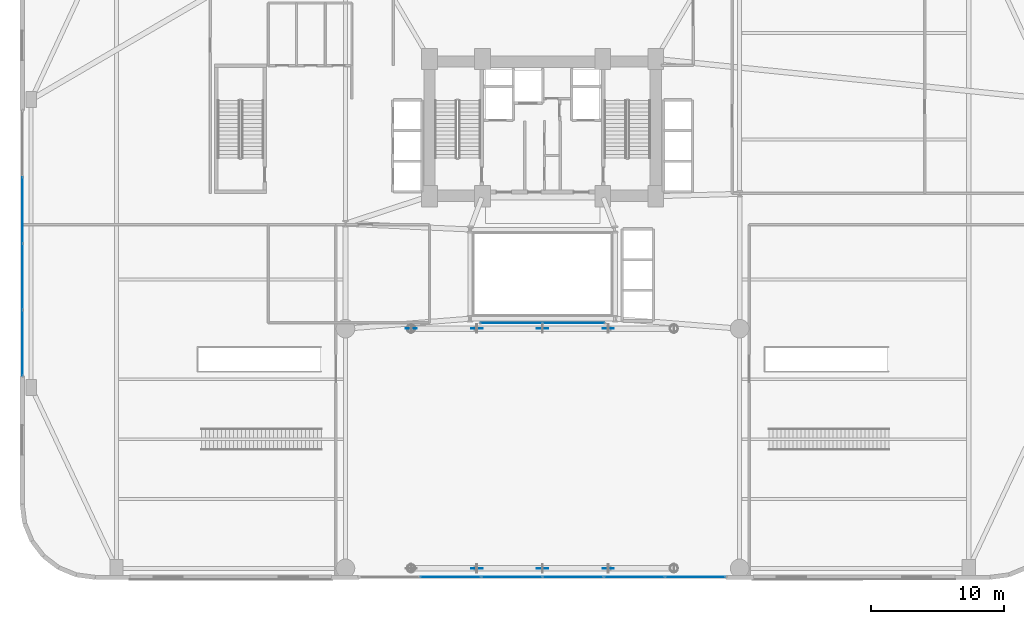
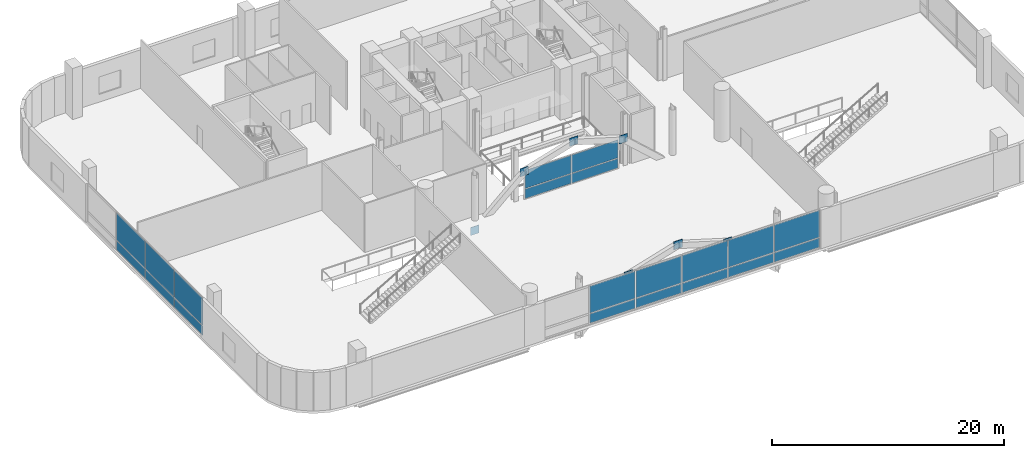
# One storey, part 23 of 36: 27 plates, 3 elements without a shape of their own.
"""IFC4 building model written with IfcOpenShell, lengths in metres."""

from ifc_helpers import new_model, si_unit, direction, frame, origin, origin_2d, place, context, subcontext, project, spatial, rectangle, extrude, source, transform, mapped, material, layer, layer_set, type_object, element, aggregate, save


model = new_model("IFC4")

# Units and contexts
model_context = context("Model", 3, precision=1e-05, world=origin(), true_north=direction((0.0, 1.0)))
body_context = subcontext(model_context, "Body", "Model", "MODEL_VIEW")
ifc_project = project(units=[si_unit("LENGTHUNIT", "METRE"), si_unit("AREAUNIT", "SQUARE_METRE"), si_unit("VOLUMEUNIT", "CUBIC_METRE"), si_unit("PLANEANGLEUNIT", "RADIAN"), si_unit("MASSUNIT", "GRAM", prefix="KILO")], contexts=[model_context])

# Site, building, storey
site_placement = place(None, origin())
site = spatial("IfcSite", under=ifc_project, at=site_placement, CompositionType="ELEMENT")
building_placement = place(site_placement, origin())
building = spatial("IfcBuilding", under=site, at=building_placement, Name="Varnelok Gate Tower", CompositionType="ELEMENT")
storey_placement = place(building_placement, frame((0.0, 0.0, 10.800048828125)))
storey = spatial("IfcBuildingStorey", under=building, at=storey_placement, Name="L02", CompositionType="ELEMENT", Elevation=10.800048828125)

# Plates
ifc_material_1 = material(Name="Structural Steel ASTM A572 Grade 50", Category="steel")
ifc_layer_1 = layer(ifc_material_1, 0.0400390625)
ifc_layer_set_1 = layer_set([ifc_layer_1], Name="Structural Steel ASTM A572 Grade 50")
plate_type_1 = type_object("IfcPlateType", Name="PLT-GUSSET-40", PredefinedType="USERDEFINED", material=ifc_layer_set_1)
shared_shape_1 = source(origin(), body_context, "Body", "SweptSolid", [
    extrude(rectangle(XDim=0.85009765625, YDim=0.0400390625, at=origin_2d()), origin(), (0.0, 0.0, 1.0), 0.85009765625),
])
for number, where, z_axis, x_axis, name in (
    (1, (34.2666015625, 0.800048828125, 2.868408203125), (0.0, 0.0, 1.0), (1.0, 0.0, 0.0), "Giant Arch Node Gusset Plate AN-2"),
    (2, (39.199951171875, 0.800048828125, 4.35498046875), (0.0, 0.0, 1.0), (1.0, 0.0, 0.0), "Giant Arch Node Gusset Plate AN-3"),
    (3, (44.13330078125, 0.800048828125, 2.868408203125), (0.0, 0.0, 1.0), (1.0, 0.0, 0.0), "Giant Arch Node Gusset Plate AN-4"),
    (4, (29.333251953125, 18.800048828125, -1.591796875), (0.0, 0.0, 1.0), (1.0, 0.0, 0.0), "Giant Arch Node Gusset Plate AN-1"),
    (5, (34.2666015625, 18.800048828125, 2.868408203125), (0.0, 0.0, 1.0), (1.0, 0.0, 0.0), "Giant Arch Node Gusset Plate AN-2"),
    (6, (39.199951171875, 18.800048828125, 4.35498046875), (0.0, 0.0, 1.0), (1.0, 0.0, 0.0), "Giant Arch Node Gusset Plate AN-3"),
    (7, (44.13330078125, 18.800048828125, 2.868408203125), (0.0, 0.0, 1.0), (1.0, 0.0, 0.0), "Giant Arch Node Gusset Plate AN-4"),
):
    element("IfcPlate", number, at=place(storey_placement, frame(where, z_axis=z_axis, x_axis=x_axis)), inside=storey, type_object=plate_type_1, Name=name, ObjectType="GUSSET PLATE", PredefinedType="USERDEFINED", context=body_context, shape_type="MappedRepresentation", body=[
        mapped(shared_shape_1, transform((0.0, 0.0, 0.0), scale=1.0)),
    ])

# Curtain wall, plates
ifc_material_2 = material(Name="Anodized Aluminum Alloy 6063-T6", Category="aluminium")
ifc_layer_2 = layer(ifc_material_2, 0.179931640625)
ifc_layer_set_2 = layer_set([ifc_layer_2], Name="Anodized Aluminum Alloy 6063-T6")
curtain_wall_type_1 = type_object("IfcCurtainWallType", Name="CW1-ARCH-PORTAL", PredefinedType="USERDEFINED", material=ifc_layer_set_2)
curtain_wall_1_placement = place(storey_placement, origin())
curtain_wall_1 = element("IfcCurtainWall", 8, at=curtain_wall_1_placement, inside=storey, type_object=curtain_wall_type_1, Name="L02 Podium Portal Curtain Wall W", ObjectType="UNITISED CURTAIN WALL", PredefinedType="USERDEFINED")
ifc_material_3 = material(Name="Low-E Laminated Double Glazing IGU", Category="glass")
ifc_layer_3 = layer(ifc_material_3, 0.028076171875)
ifc_layer_set_3 = layer_set([ifc_layer_3], Name="Low-E Laminated Double Glazing IGU")
plate_type_2 = type_object("IfcPlateType", Name="CW-PNL-IGU28", PredefinedType="CURTAIN_PANEL", material=ifc_layer_set_3)
shared_shape_2 = source(origin(), body_context, "Body", "SweptSolid", [
    extrude(rectangle(XDim=4.887451171875, YDim=0.028076171875, at=origin_2d()), origin(), (0.0, 0.0, 1.0), 0.987548828125),
])
plate_1_placement = place(storey_placement, frame((0.159912109375, 17.71875, 0.07470703125), z_axis=(0.0, 0.0, 1.0), x_axis=(0.0, 1.0, 0.0)))
plate_1 = element("IfcPlate", 9, at=plate_1_placement, type_object=plate_type_2, Name="CW1 panel 1.1", PredefinedType="CURTAIN_PANEL", context=body_context, shape_type="MappedRepresentation", body=[
    mapped(shared_shape_2, transform((0.0, 0.0, 0.0), scale=1.0)),
])
shared_shape_3 = source(origin(), body_context, "Body", "SweptSolid", [
    extrude(rectangle(XDim=4.887451171875, YDim=0.028076171875, at=origin_2d()), origin(), (0.0, 0.0, 1.0), 2.857421875),
])
plate_2_placement = place(storey_placement, frame((0.159912109375, 17.71875, 1.137451171875), z_axis=(0.0, 0.0, 1.0), x_axis=(0.0, 1.0, 0.0)))
plate_2 = element("IfcPlate", 10, at=plate_2_placement, type_object=plate_type_2, Name="CW1 panel 1.2", PredefinedType="CURTAIN_PANEL", context=body_context, shape_type="MappedRepresentation", body=[
    mapped(shared_shape_3, transform((0.0, 0.0, 0.0), scale=1.0)),
])
shared_shape_4 = source(origin(), body_context, "Body", "SweptSolid", [
    extrude(rectangle(XDim=4.925048828125, YDim=0.028076171875, at=origin_2d()), origin(), (0.0, 0.0, 1.0), 0.987548828125),
])
plate_3_placement = place(storey_placement, frame((0.159912109375, 22.699951171875, 0.07470703125), z_axis=(0.0, 0.0, 1.0), x_axis=(0.0, 1.0, 0.0)))
plate_3 = element("IfcPlate", 11, at=plate_3_placement, type_object=plate_type_2, Name="CW1 panel 2.1", PredefinedType="CURTAIN_PANEL", context=body_context, shape_type="MappedRepresentation", body=[
    mapped(shared_shape_4, transform((0.0, 0.0, 0.0), scale=1.0)),
])
plate_4_placement = place(storey_placement, frame((0.159912109375, 27.699951171875, 0.07470703125), z_axis=(0.0, 0.0, 1.0), x_axis=(0.0, 1.0, 0.0)))
plate_4 = element("IfcPlate", 12, at=plate_4_placement, type_object=plate_type_2, Name="CW1 panel 3.1", PredefinedType="CURTAIN_PANEL", context=body_context, shape_type="MappedRepresentation", body=[
    mapped(shared_shape_4, transform((0.0, 0.0, 0.0), scale=1.0)),
])
shared_shape_5 = source(origin(), body_context, "Body", "SweptSolid", [
    extrude(rectangle(XDim=4.925048828125, YDim=0.028076171875, at=origin_2d()), origin(), (0.0, 0.0, 1.0), 2.857421875),
])
plate_5_placement = place(storey_placement, frame((0.159912109375, 22.699951171875, 1.137451171875), z_axis=(0.0, 0.0, 1.0), x_axis=(0.0, 1.0, 0.0)))
plate_5 = element("IfcPlate", 13, at=plate_5_placement, type_object=plate_type_2, Name="CW1 panel 2.2", PredefinedType="CURTAIN_PANEL", context=body_context, shape_type="MappedRepresentation", body=[
    mapped(shared_shape_5, transform((0.0, 0.0, 0.0), scale=1.0)),
])
plate_6_placement = place(storey_placement, frame((0.159912109375, 27.699951171875, 1.137451171875), z_axis=(0.0, 0.0, 1.0), x_axis=(0.0, 1.0, 0.0)))
plate_6 = element("IfcPlate", 14, at=plate_6_placement, type_object=plate_type_2, Name="CW1 panel 3.2", PredefinedType="CURTAIN_PANEL", context=body_context, shape_type="MappedRepresentation", body=[
    mapped(shared_shape_5, transform((0.0, 0.0, 0.0), scale=1.0)),
])
aggregate(curtain_wall_1, [plate_1, plate_2, plate_3, plate_5, plate_4, plate_6])

curtain_wall_2_placement = place(storey_placement, origin())
curtain_wall_2 = element("IfcCurtainWall", 15, at=curtain_wall_2_placement, inside=storey, type_object=curtain_wall_type_1, Name="L02 Giant Arch Portal Glazed Curtain Wall", ObjectType="UNITISED CURTAIN WALL", PredefinedType="USERDEFINED")
shared_shape_6 = source(origin(), body_context, "Body", "SweptSolid", [
    extrude(rectangle(XDim=4.487548828125, YDim=0.028076171875, at=origin_2d()), origin(), (0.0, 0.0, 1.0), 0.987548828125),
])
plate_7_placement = place(storey_placement, frame((50.68115234375, 0.159912109375, 0.07470703125), z_axis=(0.0, 0.0, 1.0), x_axis=(-1.0, 0.0, 0.0)))
plate_7 = element("IfcPlate", 16, at=plate_7_placement, type_object=plate_type_2, Name="CW1 panel 1.1", PredefinedType="CURTAIN_PANEL", context=body_context, shape_type="MappedRepresentation", body=[
    mapped(shared_shape_6, transform((0.0, 0.0, 0.0), scale=1.0)),
])
shared_shape_7 = source(origin(), body_context, "Body", "SweptSolid", [
    extrude(rectangle(XDim=4.487548828125, YDim=0.028076171875, at=origin_2d()), origin(), (0.0, 0.0, 1.0), 2.857421875),
])
plate_8_placement = place(storey_placement, frame((50.68115234375, 0.159912109375, 1.137451171875), z_axis=(0.0, 0.0, 1.0), x_axis=(-1.0, 0.0, 0.0)))
plate_8 = element("IfcPlate", 17, at=plate_8_placement, type_object=plate_type_2, Name="CW1 panel 1.2", PredefinedType="CURTAIN_PANEL", context=body_context, shape_type="MappedRepresentation", body=[
    mapped(shared_shape_7, transform((0.0, 0.0, 0.0), scale=1.0)),
])
shared_shape_8 = source(origin(), body_context, "Body", "SweptSolid", [
    extrude(rectangle(XDim=4.52490234375, YDim=0.028076171875, at=origin_2d()), origin(), (0.0, 0.0, 1.0), 0.987548828125),
])
plate_9_placement = place(storey_placement, frame((46.10009765625, 0.159912109375, 0.07470703125), z_axis=(0.0, 0.0, 1.0), x_axis=(-1.0, 0.0, 0.0)))
plate_9 = element("IfcPlate", 18, at=plate_9_placement, type_object=plate_type_2, Name="CW1 panel 2.1", PredefinedType="CURTAIN_PANEL", context=body_context, shape_type="MappedRepresentation", body=[
    mapped(shared_shape_8, transform((0.0, 0.0, 0.0), scale=1.0)),
])
plate_10_placement = place(storey_placement, frame((41.5, 0.159912109375, 0.07470703125), z_axis=(0.0, 0.0, 1.0), x_axis=(-1.0, 0.0, 0.0)))
plate_10 = element("IfcPlate", 19, at=plate_10_placement, type_object=plate_type_2, Name="CW1 panel 3.1", PredefinedType="CURTAIN_PANEL", context=body_context, shape_type="MappedRepresentation", body=[
    mapped(shared_shape_8, transform((0.0, 0.0, 0.0), scale=1.0)),
])
plate_11_placement = place(storey_placement, frame((36.89990234375, 0.159912109375, 0.07470703125), z_axis=(0.0, 0.0, 1.0), x_axis=(-1.0, 0.0, 0.0)))
plate_11 = element("IfcPlate", 20, at=plate_11_placement, type_object=plate_type_2, Name="CW1 panel 4.1", PredefinedType="CURTAIN_PANEL", context=body_context, shape_type="MappedRepresentation", body=[
    mapped(shared_shape_8, transform((0.0, 0.0, 0.0), scale=1.0)),
])
plate_12_placement = place(storey_placement, frame((32.300048828125, 0.159912109375, 0.07470703125), z_axis=(0.0, 0.0, 1.0), x_axis=(-1.0, 0.0, 0.0)))
plate_12 = element("IfcPlate", 21, at=plate_12_placement, type_object=plate_type_2, Name="CW1 panel 5.1", PredefinedType="CURTAIN_PANEL", context=body_context, shape_type="MappedRepresentation", body=[
    mapped(shared_shape_8, transform((0.0, 0.0, 0.0), scale=1.0)),
])
shared_shape_9 = source(origin(), body_context, "Body", "SweptSolid", [
    extrude(rectangle(XDim=4.52490234375, YDim=0.028076171875, at=origin_2d()), origin(), (0.0, 0.0, 1.0), 2.857421875),
])
plate_13_placement = place(storey_placement, frame((46.10009765625, 0.159912109375, 1.137451171875), z_axis=(0.0, 0.0, 1.0), x_axis=(-1.0, 0.0, 0.0)))
plate_13 = element("IfcPlate", 22, at=plate_13_placement, type_object=plate_type_2, Name="CW1 panel 2.2", PredefinedType="CURTAIN_PANEL", context=body_context, shape_type="MappedRepresentation", body=[
    mapped(shared_shape_9, transform((0.0, 0.0, 0.0), scale=1.0)),
])
plate_14_placement = place(storey_placement, frame((41.5, 0.159912109375, 1.137451171875), z_axis=(0.0, 0.0, 1.0), x_axis=(-1.0, 0.0, 0.0)))
plate_14 = element("IfcPlate", 23, at=plate_14_placement, type_object=plate_type_2, Name="CW1 panel 3.2", PredefinedType="CURTAIN_PANEL", context=body_context, shape_type="MappedRepresentation", body=[
    mapped(shared_shape_9, transform((0.0, 0.0, 0.0), scale=1.0)),
])
plate_15_placement = place(storey_placement, frame((36.89990234375, 0.159912109375, 1.137451171875), z_axis=(0.0, 0.0, 1.0), x_axis=(-1.0, 0.0, 0.0)))
plate_15 = element("IfcPlate", 24, at=plate_15_placement, type_object=plate_type_2, Name="CW1 panel 4.2", PredefinedType="CURTAIN_PANEL", context=body_context, shape_type="MappedRepresentation", body=[
    mapped(shared_shape_9, transform((0.0, 0.0, 0.0), scale=1.0)),
])
plate_16_placement = place(storey_placement, frame((32.300048828125, 0.159912109375, 1.137451171875), z_axis=(0.0, 0.0, 1.0), x_axis=(-1.0, 0.0, 0.0)))
plate_16 = element("IfcPlate", 25, at=plate_16_placement, type_object=plate_type_2, Name="CW1 panel 5.2", PredefinedType="CURTAIN_PANEL", context=body_context, shape_type="MappedRepresentation", body=[
    mapped(shared_shape_9, transform((0.0, 0.0, 0.0), scale=1.0)),
])
aggregate(curtain_wall_2, [plate_7, plate_8, plate_9, plate_13, plate_10, plate_14, plate_11, plate_15, plate_12, plate_16])

ifc_layer_4 = layer(ifc_material_2, 0.179931640625)
ifc_layer_set_4 = layer_set([ifc_layer_4], Name="Anodized Aluminum Alloy 6063-T6")
curtain_wall_type_2 = type_object("IfcCurtainWallType", Name="CW2-ATRIUM-GLAZING", PredefinedType="USERDEFINED", material=ifc_layer_set_4)
curtain_wall_3_placement = place(storey_placement, origin())
curtain_wall_3 = element("IfcCurtainWall", 26, at=curtain_wall_3_placement, inside=storey, type_object=curtain_wall_type_2, Name="L02 Internal Atrium Gallery Curtain Wall", ObjectType="UNITISED CURTAIN WALL", PredefinedType="USERDEFINED")
shared_shape_10 = source(origin(), body_context, "Body", "SweptSolid", [
    extrude(rectangle(XDim=4.6025390625, YDim=0.028076171875, at=origin_2d()), origin(), (0.0, 0.0, 1.0), 1.00244140625),
])
plate_17_placement = place(storey_placement, frame((36.8662109375, 19.219970703125, 0.06494140625), z_axis=(0.0, 0.0, 1.0), x_axis=(1.0, 0.0, 0.0)))
plate_17 = element("IfcPlate", 27, at=plate_17_placement, type_object=plate_type_2, Name="CW2 panel 1.1", PredefinedType="CURTAIN_PANEL", context=body_context, shape_type="MappedRepresentation", body=[
    mapped(shared_shape_10, transform((0.0, 0.0, 0.0), scale=1.0)),
])
plate_18_placement = place(storey_placement, frame((41.53369140625, 19.219970703125, 0.06494140625), z_axis=(0.0, 0.0, 1.0), x_axis=(1.0, 0.0, 0.0)))
plate_18 = element("IfcPlate", 28, at=plate_18_placement, type_object=plate_type_2, Name="CW2 panel 2.1", PredefinedType="CURTAIN_PANEL", context=body_context, shape_type="MappedRepresentation", body=[
    mapped(shared_shape_10, transform((0.0, 0.0, 0.0), scale=1.0)),
])
shared_shape_11 = source(origin(), body_context, "Body", "SweptSolid", [
    extrude(rectangle(XDim=4.6025390625, YDim=0.028076171875, at=origin_2d()), origin(), (0.0, 0.0, 1.0), 1.902587890625),
])
plate_19_placement = place(storey_placement, frame((36.8662109375, 19.219970703125, 1.13232421875), z_axis=(0.0, 0.0, 1.0), x_axis=(1.0, 0.0, 0.0)))
plate_19 = element("IfcPlate", 29, at=plate_19_placement, type_object=plate_type_2, Name="CW2 panel 1.2", PredefinedType="CURTAIN_PANEL", context=body_context, shape_type="MappedRepresentation", body=[
    mapped(shared_shape_11, transform((0.0, 0.0, 0.0), scale=1.0)),
])
plate_20_placement = place(storey_placement, frame((41.53369140625, 19.219970703125, 1.13232421875), z_axis=(0.0, 0.0, 1.0), x_axis=(1.0, 0.0, 0.0)))
plate_20 = element("IfcPlate", 30, at=plate_20_placement, type_object=plate_type_2, Name="CW2 panel 2.2", PredefinedType="CURTAIN_PANEL", context=body_context, shape_type="MappedRepresentation", body=[
    mapped(shared_shape_11, transform((0.0, 0.0, 0.0), scale=1.0)),
])
aggregate(curtain_wall_3, [plate_17, plate_19, plate_18, plate_20])

save(model, "model.ifc")
